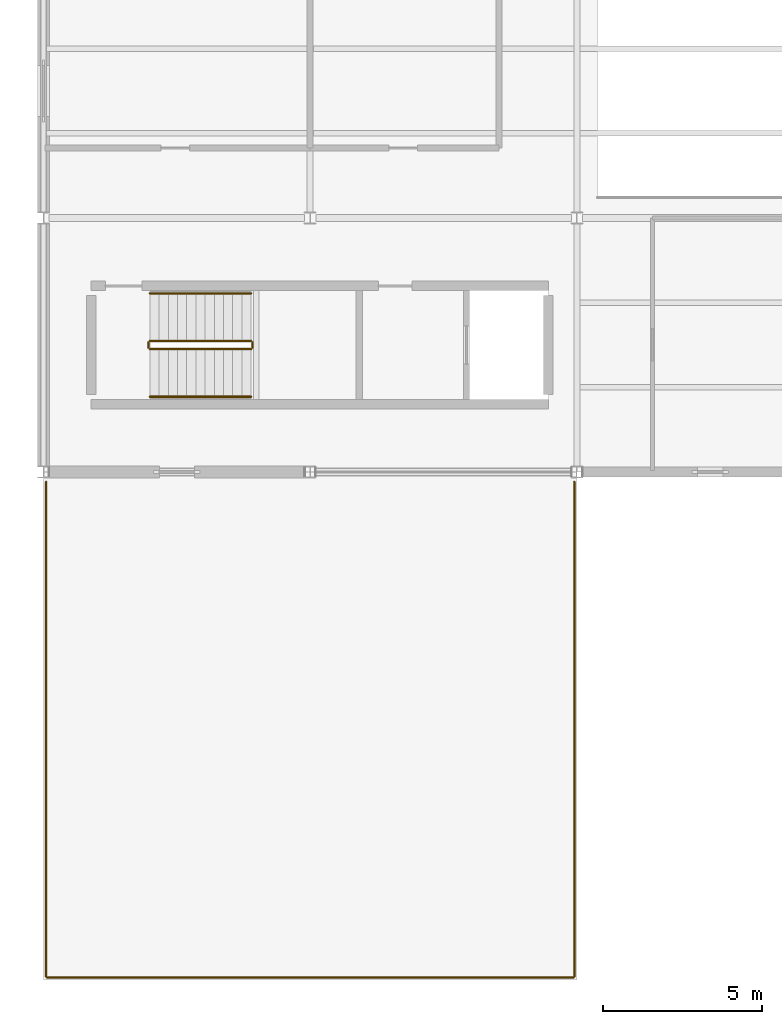
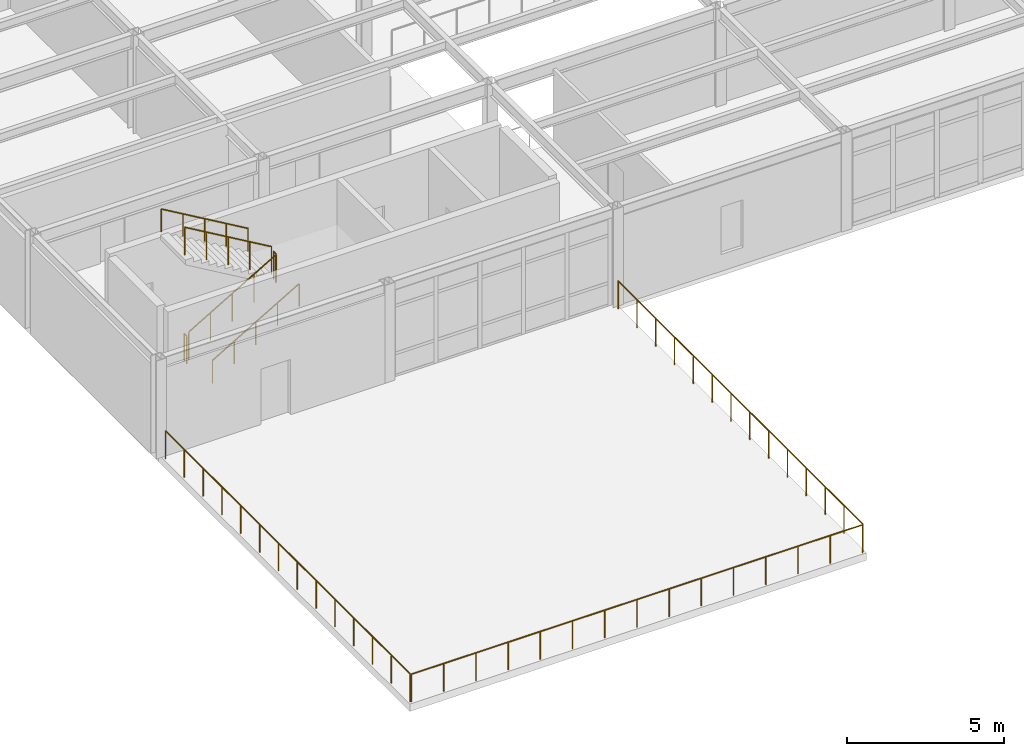
# One storey, part 128 of 138: 9 railings.
"""IFC4 building model written with IfcOpenShell, lengths in metres."""

from ifc_helpers import new_model, si_unit, direction, frame, origin, origin_2d, place, context, subcontext, project, spatial, circle, extrude, material, type_object, element, save


model = new_model("IFC4")

# Units and contexts
model_context = context("Model", 3, precision=1e-05, world=origin(), true_north=direction((0.0, 1.0)))
body_context = subcontext(model_context, "Body", "Model", "MODEL_VIEW")
ifc_project = project(units=[si_unit("LENGTHUNIT", "METRE"), si_unit("AREAUNIT", "SQUARE_METRE"), si_unit("VOLUMEUNIT", "CUBIC_METRE"), si_unit("PLANEANGLEUNIT", "RADIAN"), si_unit("MASSUNIT", "GRAM", prefix="KILO")], contexts=[model_context])

# Site, building, storey
site_placement = place(None, origin())
site = spatial("IfcSite", under=ifc_project, at=site_placement, CompositionType="ELEMENT")
building_placement = place(site_placement, origin())
building = spatial("IfcBuilding", under=site, at=building_placement, Name="Kranzveld Transit Interchange", CompositionType="ELEMENT")
storey_placement = place(building_placement, frame((0.0, 0.0, 5.43994140625)))
storey = spatial("IfcBuildingStorey", under=building, at=storey_placement, Name="L01", CompositionType="ELEMENT", Elevation=5.43994140625)

# Railings
ifc_material_1 = material(Name="Steel S355JR", Category="steel")
railing_type_1 = type_object("IfcRailingType", Name="Stair & Ramp Handrail Steel 900", PredefinedType="HANDRAIL", material=ifc_material_1)
railing_1_placement = place(storey_placement, frame((3.35009765625, 18.3701171875, 0.170166015625)))
element("IfcRailing", 1, at=railing_1_placement, inside=storey, type_object=railing_type_1, Name="L01 ST-CY1 stair handrail 1", PredefinedType="HANDRAIL", context=body_context, shape_type="SweptSolid", body=[
    extrude(circle(Radius=0.02392578125, at=origin_2d()), frame((0.0, 0.0, 0.8759765625), z_axis=(0.86270889649, 0.0, 0.505700860111), x_axis=(0.0, 1.0, 0.0)), (0.0, 0.0, 1.0), 3.697509765625),
    extrude(circle(Radius=0.02099609375, at=origin_2d()), origin(), (0.0, 0.0, 1.0), 0.849853515625),
    extrude(circle(Radius=0.02099609375, at=origin_2d()), frame((0.79736328125, 0.0, 0.467529296875)), (0.0, 0.0, 1.0), 0.849853515625),
    extrude(circle(Radius=0.02099609375, at=origin_2d()), frame((1.594970703125, 0.0, 0.93505859375)), (0.0, 0.0, 1.0), 0.849853515625),
    extrude(circle(Radius=0.02099609375, at=origin_2d()), frame((2.392578125, 0.0, 1.40234375)), (0.0, 0.0, 1.0), 0.849853515625),
    extrude(circle(Radius=0.02099609375, at=origin_2d()), frame((3.18994140625, 0.0, 1.869873046875)), (0.0, 0.0, 1.0), 0.849853515625),
])
railing_2_placement = place(storey_placement, frame((6.5400390625, 21.6298828125, 2.2099609375)))
element("IfcRailing", 2, at=railing_2_placement, inside=storey, type_object=railing_type_1, Name="L01 ST-CY1 stair handrail 2", PredefinedType="HANDRAIL", context=body_context, shape_type="SweptSolid", body=[
    extrude(circle(Radius=0.02392578125, at=origin_2d()), frame((0.0, 0.0, 0.8759765625), z_axis=(-0.862680090275, 0.0, 0.50574999935), x_axis=(0.0, -1.0, 0.0)), (0.0, 0.0, 1.0), 3.69775390625),
    extrude(circle(Radius=0.02099609375, at=origin_2d()), origin(), (0.0, 0.0, 1.0), 0.849853515625),
    extrude(circle(Radius=0.02099609375, at=origin_2d()), frame((-0.79736328125, 0.0, 0.467529296875)), (0.0, 0.0, 1.0), 0.849853515625),
    extrude(circle(Radius=0.02099609375, at=origin_2d()), frame((-1.594970703125, 0.0, 0.93505859375)), (0.0, 0.0, 1.0), 0.849853515625),
    extrude(circle(Radius=0.02099609375, at=origin_2d()), frame((-2.392578125, 0.0, 1.402587890625)), (0.0, 0.0, 1.0), 0.849853515625),
    extrude(circle(Radius=0.02099609375, at=origin_2d()), frame((-3.18994140625, 0.0, 1.8701171875)), (0.0, 0.0, 1.0), 0.849853515625),
])
ifc_material_2 = material(Name="Steel S355JR", Category="steel")
railing_type_2 = type_object("IfcRailingType", Name="Stair Well Guardrail Steel 1100", PredefinedType="GUARDRAIL", material=ifc_material_2)
railing_3_placement = place(storey_placement, frame((3.35009765625, 19.8701171875, 0.170166015625)))
element("IfcRailing", 3, at=railing_3_placement, inside=storey, type_object=railing_type_2, Name="L01 ST-CY1 stair guard 1", PredefinedType="GUARDRAIL", context=body_context, shape_type="SweptSolid", body=[
    extrude(circle(Radius=0.02392578125, at=origin_2d()), frame((0.0, 0.0, 1.076171875), z_axis=(0.86270889649, 0.0, 0.505700860111), x_axis=(0.0, 1.0, 0.0)), (0.0, 0.0, 1.0), 3.697509765625),
    extrude(circle(Radius=0.02099609375, at=origin_2d()), origin(), (0.0, 0.0, 1.0), 1.050048828125),
    extrude(circle(Radius=0.02099609375, at=origin_2d()), frame((0.79736328125, 0.0, 0.467529296875)), (0.0, 0.0, 1.0), 1.050048828125),
    extrude(circle(Radius=0.02099609375, at=origin_2d()), frame((1.594970703125, 0.0, 0.93505859375)), (0.0, 0.0, 1.0), 1.050048828125),
    extrude(circle(Radius=0.02099609375, at=origin_2d()), frame((2.392578125, 0.0, 1.40234375)), (0.0, 0.0, 1.0), 1.050048828125),
    extrude(circle(Radius=0.02099609375, at=origin_2d()), frame((3.18994140625, 0.0, 1.869873046875)), (0.0, 0.0, 1.0), 1.050048828125),
])
railing_4_placement = place(storey_placement, frame((6.590087890625, 19.919921875, 2.0400390625)))
element("IfcRailing", 4, at=railing_4_placement, inside=storey, type_object=railing_type_2, Name="L01 ST-CY1 stair guard 2", PredefinedType="GUARDRAIL", context=body_context, shape_type="SweptSolid", body=[
    extrude(circle(Radius=0.02392578125, at=origin_2d()), frame((0.0, 0.0, 1.076171875), z_axis=(0.0, 1.0, 0.0), x_axis=(-1.0, 0.0, 0.0)), (0.0, 0.0, 1.0), 0.16015625),
    extrude(circle(Radius=0.02099609375, at=origin_2d()), origin(), (0.0, 0.0, 1.0), 1.050048828125),
    extrude(circle(Radius=0.02099609375, at=origin_2d()), frame((0.0, 0.16015625, 0.0)), (0.0, 0.0, 1.0), 1.050048828125),
])
railing_5_placement = place(storey_placement, frame((6.5400390625, 20.1298828125, 2.2099609375)))
element("IfcRailing", 5, at=railing_5_placement, inside=storey, type_object=railing_type_2, Name="L01 ST-CY1 stair guard 3", PredefinedType="GUARDRAIL", context=body_context, shape_type="SweptSolid", body=[
    extrude(circle(Radius=0.02392578125, at=origin_2d()), frame((0.0, 0.0, 1.076171875), z_axis=(-0.862680090275, 0.0, 0.50574999935), x_axis=(0.0, -1.0, 0.0)), (0.0, 0.0, 1.0), 3.69775390625),
    extrude(circle(Radius=0.02099609375, at=origin_2d()), origin(), (0.0, 0.0, 1.0), 1.050048828125),
    extrude(circle(Radius=0.02099609375, at=origin_2d()), frame((-0.79736328125, 0.0, 0.467529296875)), (0.0, 0.0, 1.0), 1.050048828125),
    extrude(circle(Radius=0.02099609375, at=origin_2d()), frame((-1.594970703125, 0.0, 0.93505859375)), (0.0, 0.0, 1.0), 1.050048828125),
    extrude(circle(Radius=0.02099609375, at=origin_2d()), frame((-2.392578125, 0.0, 1.402587890625)), (0.0, 0.0, 1.0), 1.050048828125),
    extrude(circle(Radius=0.02099609375, at=origin_2d()), frame((-3.18994140625, 0.0, 1.8701171875)), (0.0, 0.0, 1.0), 1.050048828125),
])
railing_6_placement = place(storey_placement, frame((3.300048828125, 19.919921875, 0.0)))
element("IfcRailing", 6, at=railing_6_placement, inside=storey, type_object=railing_type_2, Name="L01 ST-CY1 stair guard 4", PredefinedType="GUARDRAIL", context=body_context, shape_type="SweptSolid", body=[
    extrude(circle(Radius=0.02392578125, at=origin_2d()), frame((0.0, 0.0, 1.076171875), z_axis=(0.0, 1.0, 0.0), x_axis=(-1.0, 0.0, 0.0)), (0.0, 0.0, 1.0), 0.16015625),
    extrude(circle(Radius=0.02099609375, at=origin_2d()), origin(), (0.0, 0.0, 1.0), 1.050048828125),
    extrude(circle(Radius=0.02099609375, at=origin_2d()), frame((0.0, 0.16015625, 0.0)), (0.0, 0.0, 1.0), 1.050048828125),
])
ifc_material_3 = material(Name="Steel S355JR", Category="steel")
railing_type_3 = type_object("IfcRailingType", Name="Terrace Balustrade Bronze-Steel 1100", PredefinedType="BALUSTRADE", material=ifc_material_3)
railing_7_placement = place(storey_placement, frame((16.68994140625, 0.080078125, 0.0)))
element("IfcRailing", 7, at=railing_7_placement, inside=storey, type_object=railing_type_3, Name="L01 Terrace Balustrade TERR_L01_SW-1", PredefinedType="BALUSTRADE", context=body_context, shape_type="SweptSolid", body=[
    extrude(circle(Radius=0.02392578125, at=origin_2d()), frame((0.0, 0.0, 1.076171875), z_axis=(-1.0, 0.0, 0.0), x_axis=(0.0, -1.0, 0.0)), (0.0, 0.0, 1.0), 16.579833984375),
    extrude(circle(Radius=0.02099609375, at=origin_2d()), origin(), (0.0, 0.0, 1.0), 1.050048828125),
    extrude(circle(Radius=0.02099609375, at=origin_2d()), frame((-1.184326171875, 0.0, 0.0)), (0.0, 0.0, 1.0), 1.050048828125),
    extrude(circle(Radius=0.02099609375, at=origin_2d()), frame((-2.36865234375, 0.0, 0.0)), (0.0, 0.0, 1.0), 1.050048828125),
    extrude(circle(Radius=0.02099609375, at=origin_2d()), frame((-3.552734375, 0.0, 0.0)), (0.0, 0.0, 1.0), 1.050048828125),
    extrude(circle(Radius=0.02099609375, at=origin_2d()), frame((-4.737060546875, 0.0, 0.0)), (0.0, 0.0, 1.0), 1.050048828125),
    extrude(circle(Radius=0.02099609375, at=origin_2d()), frame((-5.92138671875, 0.0, 0.0)), (0.0, 0.0, 1.0), 1.050048828125),
    extrude(circle(Radius=0.02099609375, at=origin_2d()), frame((-7.105712890625, 0.0, 0.0)), (0.0, 0.0, 1.0), 1.050048828125),
    extrude(circle(Radius=0.02099609375, at=origin_2d()), frame((-8.2900390625, 0.0, 0.0)), (0.0, 0.0, 1.0), 1.050048828125),
    extrude(circle(Radius=0.02099609375, at=origin_2d()), frame((-9.47412109375, 0.0, 0.0)), (0.0, 0.0, 1.0), 1.050048828125),
    extrude(circle(Radius=0.02099609375, at=origin_2d()), frame((-10.658447265625, 0.0, 0.0)), (0.0, 0.0, 1.0), 1.050048828125),
    extrude(circle(Radius=0.02099609375, at=origin_2d()), frame((-11.8427734375, 0.0, 0.0)), (0.0, 0.0, 1.0), 1.050048828125),
    extrude(circle(Radius=0.02099609375, at=origin_2d()), frame((-13.027099609375, 0.0, 0.0)), (0.0, 0.0, 1.0), 1.050048828125),
    extrude(circle(Radius=0.02099609375, at=origin_2d()), frame((-14.211181640625, 0.0, 0.0)), (0.0, 0.0, 1.0), 1.050048828125),
    extrude(circle(Radius=0.02099609375, at=origin_2d()), frame((-15.3955078125, 0.0, 0.0)), (0.0, 0.0, 1.0), 1.050048828125),
    extrude(circle(Radius=0.02099609375, at=origin_2d()), frame((-16.579833984375, 0.0, 0.0)), (0.0, 0.0, 1.0), 1.050048828125),
])
railing_8_placement = place(storey_placement, frame((0.080078125, 0.110107421875, 0.0)))
element("IfcRailing", 8, at=railing_8_placement, inside=storey, type_object=railing_type_3, Name="L01 Terrace Balustrade TERR_L01_SW-2", PredefinedType="BALUSTRADE", context=body_context, shape_type="SweptSolid", body=[
    extrude(circle(Radius=0.02392578125, at=origin_2d()), frame((0.0, 0.0, 1.076171875), z_axis=(0.0, 1.0, 0.0), x_axis=(-1.0, 0.0, 0.0)), (0.0, 0.0, 1.0), 15.579833984375),
    extrude(circle(Radius=0.02099609375, at=origin_2d()), origin(), (0.0, 0.0, 1.0), 1.050048828125),
    extrude(circle(Radius=0.02099609375, at=origin_2d()), frame((0.0, 1.198486328125, 0.0)), (0.0, 0.0, 1.0), 1.050048828125),
    extrude(circle(Radius=0.02099609375, at=origin_2d()), frame((0.0, 2.39697265625, 0.0)), (0.0, 0.0, 1.0), 1.050048828125),
    extrude(circle(Radius=0.02099609375, at=origin_2d()), frame((0.0, 3.595458984375, 0.0)), (0.0, 0.0, 1.0), 1.050048828125),
    extrude(circle(Radius=0.02099609375, at=origin_2d()), frame((0.0, 4.793701171875, 0.0)), (0.0, 0.0, 1.0), 1.050048828125),
    extrude(circle(Radius=0.02099609375, at=origin_2d()), frame((0.0, 5.9921875, 0.0)), (0.0, 0.0, 1.0), 1.050048828125),
    extrude(circle(Radius=0.02099609375, at=origin_2d()), frame((0.0, 7.190673828125, 0.0)), (0.0, 0.0, 1.0), 1.050048828125),
    extrude(circle(Radius=0.02099609375, at=origin_2d()), frame((0.0, 8.38916015625, 0.0)), (0.0, 0.0, 1.0), 1.050048828125),
    extrude(circle(Radius=0.02099609375, at=origin_2d()), frame((0.0, 9.587646484375, 0.0)), (0.0, 0.0, 1.0), 1.050048828125),
    extrude(circle(Radius=0.02099609375, at=origin_2d()), frame((0.0, 10.7861328125, 0.0)), (0.0, 0.0, 1.0), 1.050048828125),
    extrude(circle(Radius=0.02099609375, at=origin_2d()), frame((0.0, 11.984375, 0.0)), (0.0, 0.0, 1.0), 1.050048828125),
    extrude(circle(Radius=0.02099609375, at=origin_2d()), frame((0.0, 13.182861328125, 0.0)), (0.0, 0.0, 1.0), 1.050048828125),
    extrude(circle(Radius=0.02099609375, at=origin_2d()), frame((0.0, 14.38134765625, 0.0)), (0.0, 0.0, 1.0), 1.050048828125),
    extrude(circle(Radius=0.02099609375, at=origin_2d()), frame((0.0, 15.579833984375, 0.0)), (0.0, 0.0, 1.0), 1.050048828125),
])
railing_9_placement = place(storey_placement, frame((16.719970703125, 15.68994140625, 0.0)))
element("IfcRailing", 9, at=railing_9_placement, inside=storey, type_object=railing_type_3, Name="L01 Terrace Balustrade TERR_L01_SW-3", PredefinedType="BALUSTRADE", context=body_context, shape_type="SweptSolid", body=[
    extrude(circle(Radius=0.02392578125, at=origin_2d()), frame((0.0, 0.0, 1.076171875), z_axis=(0.0, -1.0, 0.0), x_axis=(1.0, 0.0, 0.0)), (0.0, 0.0, 1.0), 15.579833984375),
    extrude(circle(Radius=0.02099609375, at=origin_2d()), origin(), (0.0, 0.0, 1.0), 1.050048828125),
    extrude(circle(Radius=0.02099609375, at=origin_2d()), frame((0.0, -1.198486328125, 0.0)), (0.0, 0.0, 1.0), 1.050048828125),
    extrude(circle(Radius=0.02099609375, at=origin_2d()), frame((0.0, -2.39697265625, 0.0)), (0.0, 0.0, 1.0), 1.050048828125),
    extrude(circle(Radius=0.02099609375, at=origin_2d()), frame((0.0, -3.595458984375, 0.0)), (0.0, 0.0, 1.0), 1.050048828125),
    extrude(circle(Radius=0.02099609375, at=origin_2d()), frame((0.0, -4.793701171875, 0.0)), (0.0, 0.0, 1.0), 1.050048828125),
    extrude(circle(Radius=0.02099609375, at=origin_2d()), frame((0.0, -5.9921875, 0.0)), (0.0, 0.0, 1.0), 1.050048828125),
    extrude(circle(Radius=0.02099609375, at=origin_2d()), frame((0.0, -7.190673828125, 0.0)), (0.0, 0.0, 1.0), 1.050048828125),
    extrude(circle(Radius=0.02099609375, at=origin_2d()), frame((0.0, -8.38916015625, 0.0)), (0.0, 0.0, 1.0), 1.050048828125),
    extrude(circle(Radius=0.02099609375, at=origin_2d()), frame((0.0, -9.587646484375, 0.0)), (0.0, 0.0, 1.0), 1.050048828125),
    extrude(circle(Radius=0.02099609375, at=origin_2d()), frame((0.0, -10.7861328125, 0.0)), (0.0, 0.0, 1.0), 1.050048828125),
    extrude(circle(Radius=0.02099609375, at=origin_2d()), frame((0.0, -11.984375, 0.0)), (0.0, 0.0, 1.0), 1.050048828125),
    extrude(circle(Radius=0.02099609375, at=origin_2d()), frame((0.0, -13.182861328125, 0.0)), (0.0, 0.0, 1.0), 1.050048828125),
    extrude(circle(Radius=0.02099609375, at=origin_2d()), frame((0.0, -14.38134765625, 0.0)), (0.0, 0.0, 1.0), 1.050048828125),
    extrude(circle(Radius=0.02099609375, at=origin_2d()), frame((0.0, -15.579833984375, 0.0)), (0.0, 0.0, 1.0), 1.050048828125),
])

save(model, "model.ifc")
